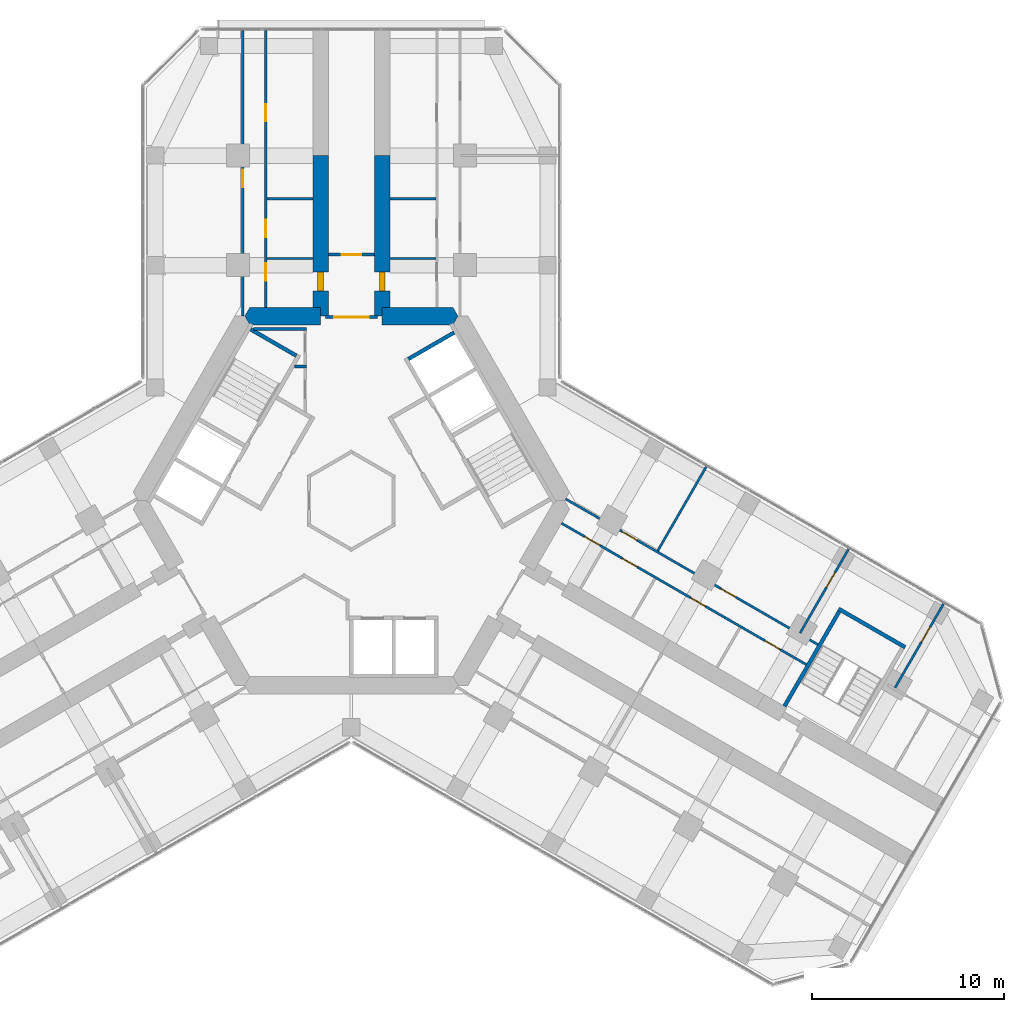
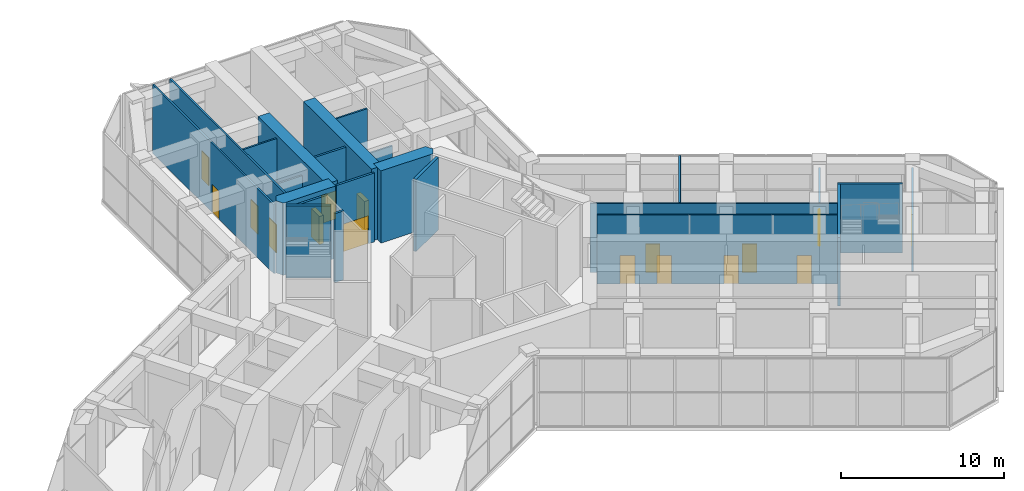
# One storey, part 17 of 20: 23 walls, 16 doors, 16 openings.
"""IFC4 building model written with IfcOpenShell, lengths in metres."""

from ifc_helpers import new_model, si_unit, direction, frame, frame_2d, origin, place, context, subcontext, project, spatial, polyline, rectangle, outline, extrude, material, layer, layer_set, type_object, element, fill, save


model = new_model("IFC4")

# Units and contexts
model_context = context("Model", 3, precision=1e-05, world=origin(), true_north=direction((0.0, 1.0)))
body_context = subcontext(model_context, "Body", "Model", "MODEL_VIEW")
ifc_project = project(units=[si_unit("LENGTHUNIT", "METRE"), si_unit("AREAUNIT", "SQUARE_METRE"), si_unit("VOLUMEUNIT", "CUBIC_METRE"), si_unit("PLANEANGLEUNIT", "RADIAN"), si_unit("MASSUNIT", "GRAM", prefix="KILO")], contexts=[model_context])

# Site, building, storey
site_placement = place(None, origin())
site = spatial("IfcSite", under=ifc_project, at=site_placement, CompositionType="ELEMENT")
building_placement = place(site_placement, origin())
building = spatial("IfcBuilding", under=site, at=building_placement, Name="Kosmar Iwan School Tower", CompositionType="ELEMENT")
storey_placement = place(building_placement, frame((0.0, 0.0, 152.60009765625)))
storey = spatial("IfcBuildingStorey", under=building, at=storey_placement, Name="L38", CompositionType="ELEMENT", Elevation=152.60009765625)

# Walls
ifc_material_1 = material(Name="Gypsum board on steel studs, fire-rated", Category="steel")
ifc_layer_1 = layer(ifc_material_1, 0.14990234375)
ifc_layer_set_1 = layer_set([ifc_layer_1], Name="Core room partition 150")
wall_type_1 = type_object("IfcWallType", Name="Core room partition 150", PredefinedType="PARTITIONING", material=ifc_layer_set_1)
wall_1_placement = place(storey_placement, frame((-2.324951171875, 6.985107421875, 0.0), z_axis=(0.0, 0.0, 1.0), x_axis=(-1.0, 0.0, 0.0)))
element("IfcWall", 1, at=wall_1_placement, inside=storey, type_object=wall_type_1, Name="Core room partition L38-CW2", PredefinedType="PARTITIONING", context=body_context, shape_type="SweptSolid", body=[
    extrude(rectangle(XDim=0.623779296875, YDim=0.14990234375, at=frame_2d((0.31201171875, 0.0))), origin(), (0.0, 0.0, 1.0), 5.14990234375),
])
wall_2_placement = place(storey_placement, frame((-5.089599609375, 8.93994140625, 0.0), z_axis=(0.0, 0.0, 1.0), x_axis=(1.0, 0.0, 0.0)))
element("IfcWall", 2, at=wall_2_placement, inside=storey, type_object=wall_type_1, Name="Core room partition L38-CW3", PredefinedType="PARTITIONING", context=body_context, shape_type="SweptSolid", body=[
    extrude(rectangle(XDim=2.7646484375, YDim=0.14990234375, at=frame_2d((1.38232421875, 0.0))), origin(), (0.0, 0.0, 1.0), 5.14990234375),
])
ifc_material_2 = material(Name="Concrete C50/60", Category="concrete")
ifc_layer_2 = layer(ifc_material_2, 0.89990234375)
ifc_layer_set_2 = layer_set([ifc_layer_2], Name="Core wall 900")
wall_type_2 = type_object("IfcWallType", Name="Core wall 900", PredefinedType="SHEAR", material=ifc_layer_set_2)
wall_3_placement = place(storey_placement, origin())
element("IfcWall", 3, at=wall_3_placement, inside=storey, type_object=wall_type_2, Name="Core wall F090a", PredefinedType="SHEAR", context=body_context, shape_type="SweptSolid", body=[
    extrude(outline(polyline([(1.60009765625, 9.14990234375), (5.28271484375, 9.14990234375), (5.54248046875, 9.60009765625), (5.28271484375, 10.050048828125), (1.60009765625, 10.050048828125), (1.60009765625, 9.14990234375)])), origin(), (0.0, 0.0, 1.0), 5.39990234375),
])
wall_4_placement = place(storey_placement, origin())
element("IfcWall", 4, at=wall_4_placement, inside=storey, type_object=wall_type_2, Name="Core wall F090b", PredefinedType="SHEAR", context=body_context, shape_type="SweptSolid", body=[
    extrude(outline(polyline([(-5.28271484375, 9.14990234375), (-1.60009765625, 9.14990234375), (-1.60009765625, 10.050048828125), (-5.28271484375, 10.050048828125), (-5.54248046875, 9.60009765625), (-5.28271484375, 9.14990234375)])), origin(), (0.0, 0.0, 1.0), 5.39990234375),
])

# Wall, opening, door
ifc_material_3 = material(Name="Concrete C50/60", Category="concrete")
ifc_layer_3 = layer(ifc_material_3, 0.800048828125)
ifc_layer_set_3 = layer_set([ifc_layer_3], Name="Corridor buttress wall 800")
wall_type_3 = type_object("IfcWallType", Name="Corridor buttress wall 800", PredefinedType="SHEAR", material=ifc_layer_set_3)
wall_5_placement = place(storey_placement, frame((-1.60009765625, 9.60009765625, 0.0), z_axis=(0.0, 0.0, 1.0), x_axis=(0.0, 1.0, 0.0)))
wall_5 = element("IfcWall", 5, at=wall_5_placement, inside=storey, type_object=wall_type_3, Name="Corridor wall AL", PredefinedType="SHEAR", context=body_context, shape_type="SweptSolid", body=[
    extrude(rectangle(XDim=8.349853515625, YDim=0.800048828125, at=frame_2d((4.1748046875, 0.0))), origin(), (0.0, 0.0, 1.0), 5.39990234375),
])
opening_1_placement = place(wall_5_placement, frame((1.300048828125, 0.0, 0.0)))
opening_1 = element("IfcOpeningElement", 6, at=opening_1_placement, cuts=wall_5, Name="Opening D1", PredefinedType="OPENING", context=body_context, shape_type="SweptSolid", body=[
    extrude(rectangle(XDim=1.0, YDim=2.10009765625, at=frame_2d((0.5, 1.050048828125))), frame((0.0, 0.412109375, 0.0), z_axis=(0.0, -1.0, 0.0), x_axis=(1.0, 0.0, 0.0)), (0.0, 0.0, 1.0), 0.823974609375),
])
ifc_material_4 = material(Name="Timber fire door in steel frame", Category="steel")
door_type_1 = type_object("IfcDoorType", Name="Flat entrance door 1000x2100", OperationType="SINGLE_SWING_LEFT", PredefinedType="DOOR", material=ifc_material_4)
door_1_placement = place(opening_1_placement, origin())
door_1 = element("IfcDoor", 7, at=door_1_placement, inside=storey, type_object=door_type_1, Name="Flat L38-AL1 entrance door", OperationType="SINGLE_SWING_RIGHT", OverallHeight=2.10009765625, OverallWidth=1.0, PredefinedType="DOOR", context=body_context, shape_type="SweptSolid", body=[
    extrude(rectangle(XDim=1.0, YDim=2.10009765625, at=frame_2d((0.5, 1.050048828125))), frame((0.0, 0.14990234375, 0.0), z_axis=(0.0, -1.0, 0.0), x_axis=(1.0, 0.0, 0.0)), (0.0, 0.0, 1.0), 0.300048828125),
])
fill(opening_1, door_1)

wall_6_placement = place(storey_placement, frame((1.60009765625, 9.60009765625, 0.0), z_axis=(0.0, 0.0, 1.0), x_axis=(0.0, 1.0, 0.0)))
wall_6 = element("IfcWall", 8, at=wall_6_placement, inside=storey, type_object=wall_type_3, Name="Corridor wall AR", PredefinedType="SHEAR", context=body_context, shape_type="SweptSolid", body=[
    extrude(rectangle(XDim=8.349853515625, YDim=0.800048828125, at=frame_2d((4.1748046875, 0.0))), origin(), (0.0, 0.0, 1.0), 5.39990234375),
])
opening_2_placement = place(wall_6_placement, frame((1.300048828125, 0.0, 0.0)))
opening_2 = element("IfcOpeningElement", 9, at=opening_2_placement, cuts=wall_6, Name="Opening D1", PredefinedType="OPENING", context=body_context, shape_type="SweptSolid", body=[
    extrude(rectangle(XDim=1.0, YDim=2.10009765625, at=frame_2d((0.5, 1.050048828125))), frame((0.0, 0.412109375, 0.0), z_axis=(0.0, -1.0, 0.0), x_axis=(1.0, 0.0, 0.0)), (0.0, 0.0, 1.0), 0.823974609375),
])
door_2_placement = place(opening_2_placement, origin())
door_2 = element("IfcDoor", 10, at=door_2_placement, inside=storey, type_object=door_type_1, Name="Flat L38-AR1 entrance door", OperationType="SINGLE_SWING_RIGHT", OverallHeight=2.10009765625, OverallWidth=1.0, PredefinedType="DOOR", context=body_context, shape_type="SweptSolid", body=[
    extrude(rectangle(XDim=1.0, YDim=2.10009765625, at=frame_2d((0.5, 1.050048828125))), frame((0.0, 0.14990234375, 0.0), z_axis=(0.0, -1.0, 0.0), x_axis=(1.0, 0.0, 0.0)), (0.0, 0.0, 1.0), 0.300048828125),
])
fill(opening_2, door_2)

ifc_material_5 = material(Name="Gypsum board on steel studs, fire-rated", Category="steel")
ifc_layer_4 = layer(ifc_material_5, 0.14990234375)
ifc_layer_set_4 = layer_set([ifc_layer_4], Name="Corridor end wall 150")
wall_type_4 = type_object("IfcWallType", Name="Corridor end wall 150", PredefinedType="PARTITIONING", material=ifc_layer_set_4)
wall_7_placement = place(storey_placement, frame((1.199951171875, 12.800048828125, 0.0), z_axis=(0.0, 0.0, 1.0), x_axis=(-1.0, 0.0, 0.0)))
wall_7 = element("IfcWall", 11, at=wall_7_placement, inside=storey, type_object=wall_type_4, Name="Partition L38-A-CE", PredefinedType="PARTITIONING", context=body_context, shape_type="SweptSolid", body=[
    extrude(rectangle(XDim=2.39990234375, YDim=0.14990234375, at=frame_2d((1.199951171875, 0.0))), origin(), (0.0, 0.0, 1.0), 5.14990234375),
])
opening_3_placement = place(wall_7_placement, frame((0.699951171875, 0.0, 0.0)))
opening_3 = element("IfcOpeningElement", 12, at=opening_3_placement, cuts=wall_7, Name="Opening D13", PredefinedType="OPENING", context=body_context, shape_type="SweptSolid", body=[
    extrude(rectangle(XDim=1.0, YDim=2.10009765625, at=frame_2d((0.5, 1.050048828125))), frame((0.0, 0.0869140625, 0.0), z_axis=(0.0, -1.0, 0.0), x_axis=(1.0, 0.0, 0.0)), (0.0, 0.0, 1.0), 0.173828125),
])
ifc_material_6 = material(Name="Timber fire door with vision panel", Category="wood")
door_type_2 = type_object("IfcDoorType", Name="Corridor end door 1000x2100", OperationType="SINGLE_SWING_LEFT", PredefinedType="DOOR", material=ifc_material_6)
door_3_placement = place(opening_3_placement, origin())
door_3 = element("IfcDoor", 13, at=door_3_placement, inside=storey, type_object=door_type_2, Name="Prayer room door L38-A", OperationType="SINGLE_SWING_RIGHT", OverallHeight=2.10009765625, OverallWidth=1.0, PredefinedType="DOOR", context=body_context, shape_type="SweptSolid", body=[
    extrude(rectangle(XDim=1.0, YDim=2.10009765625, at=frame_2d((0.5, 1.050048828125))), frame((0.0, 0.02490234375, 0.0), z_axis=(0.0, -1.0, 0.0), x_axis=(1.0, 0.0, 0.0)), (0.0, 0.0, 1.0), 0.050048828125),
])
fill(opening_3, door_3)

ifc_material_7 = material(Name="Steel framed glazed screen", Category="steel")
ifc_layer_5 = layer(ifc_material_7, 0.14990234375)
ifc_layer_set_5 = layer_set([ifc_layer_5], Name="Corridor screen wall 150")
wall_type_5 = type_object("IfcWallType", Name="Corridor screen wall 150", PredefinedType="PARTITIONING", material=ifc_layer_set_5)
wall_8_placement = place(storey_placement, frame((1.35009765625, 9.550048828125, 0.0), z_axis=(0.0, 0.0, 1.0), x_axis=(-1.0, 0.0, 0.0)))
wall_8 = element("IfcWall", 14, at=wall_8_placement, inside=storey, type_object=wall_type_5, Name="Corridor screen A L38", PredefinedType="PARTITIONING", context=body_context, shape_type="SweptSolid", body=[
    extrude(rectangle(XDim=2.7001953125, YDim=0.14990234375, at=frame_2d((1.35009765625, 0.0))), origin(), (0.0, 0.0, 1.0), 5.14990234375),
])
opening_4_placement = place(wall_8_placement, frame((0.449951171875, 0.0, 0.0)))
opening_4 = element("IfcOpeningElement", 15, at=opening_4_placement, cuts=wall_8, Name="Opening D9", PredefinedType="OPENING", context=body_context, shape_type="SweptSolid", body=[
    extrude(rectangle(XDim=1.800048828125, YDim=2.10009765625, at=frame_2d((0.89990234375, 1.050048828125))), frame((0.0, 0.0869140625, 0.0), z_axis=(0.0, -1.0, 0.0), x_axis=(1.0, 0.0, 0.0)), (0.0, 0.0, 1.0), 0.173828125),
])
ifc_material_8 = material(Name="Steel framed glazed smoke door", Category="steel")
door_type_3 = type_object("IfcDoorType", Name="Corridor smoke door pair 1800x2100", OperationType="DOUBLE_DOOR_DOUBLE_SWING", PredefinedType="DOOR", material=ifc_material_8)
door_4_placement = place(opening_4_placement, origin())
door_4 = element("IfcDoor", 16, at=door_4_placement, inside=storey, type_object=door_type_3, Name="Corridor doors A L38", OperationType="DOUBLE_DOOR_DOUBLE_SWING", OverallHeight=2.10009765625, OverallWidth=1.800048828125, PredefinedType="DOOR", context=body_context, shape_type="SweptSolid", body=[
    extrude(rectangle(XDim=1.800048828125, YDim=2.10009765625, at=frame_2d((0.89990234375, 1.050048828125))), frame((0.0, 0.02490234375, 0.0), z_axis=(0.0, -1.0, 0.0), x_axis=(1.0, 0.0, 0.0)), (0.0, 0.0, 1.0), 0.050048828125),
])
fill(opening_4, door_4)

# Wall, openings, doors
ifc_material_9 = material(Name="Gypsum board on steel studs", Category="steel")
ifc_layer_6 = layer(ifc_material_9, 0.1201171875)
ifc_layer_set_6 = layer_set([ifc_layer_6], Name="Dwelling partition 120")
wall_type_6 = type_object("IfcWallType", Name="Dwelling partition 120", PredefinedType="PARTITIONING", material=ifc_layer_set_6)
wall_9_placement = place(storey_placement, frame((-4.449951171875, 10.050048828125, 0.0), z_axis=(0.0, 0.0, 1.0), x_axis=(0.0, 1.0, 0.0)))
wall_9 = element("IfcWall", 17, at=wall_9_placement, inside=storey, type_object=wall_type_6, Name="Partition L38-AL1-W1", PredefinedType="PARTITIONING", context=body_context, shape_type="SweptSolid", body=[
    extrude(rectangle(XDim=14.39501953125, YDim=0.1201171875, at=frame_2d((7.197509765625, 0.0))), origin(), (0.0, 0.0, 1.0), 5.14990234375),
])
opening_5_placement = place(wall_9_placement, frame((1.39990234375, 0.0, 0.0)))
opening_5 = element("IfcOpeningElement", 18, at=opening_5_placement, cuts=wall_9, Name="Opening D2", PredefinedType="OPENING", context=body_context, shape_type="SweptSolid", body=[
    extrude(rectangle(XDim=0.89990234375, YDim=2.10009765625, at=frame_2d((0.449951171875, 1.050048828125))), frame((0.0, 0.072021484375, 0.0), z_axis=(0.0, -1.0, 0.0), x_axis=(1.0, 0.0, 0.0)), (0.0, 0.0, 1.0), 0.14404296875),
])
opening_6_placement = place(wall_9_placement, frame((3.64990234375, 0.0, 0.0)))
opening_6 = element("IfcOpeningElement", 19, at=opening_6_placement, cuts=wall_9, Name="Opening D2", PredefinedType="OPENING", context=body_context, shape_type="SweptSolid", body=[
    extrude(rectangle(XDim=0.89990234375, YDim=2.10009765625, at=frame_2d((0.449951171875, 1.050048828125))), frame((0.0, 0.072021484375, 0.0), z_axis=(0.0, -1.0, 0.0), x_axis=(1.0, 0.0, 0.0)), (0.0, 0.0, 1.0), 0.14404296875),
])
opening_7_placement = place(wall_9_placement, frame((9.675048828125, 0.0, 0.0)))
opening_7 = element("IfcOpeningElement", 20, at=opening_7_placement, cuts=wall_9, Name="Opening D2", PredefinedType="OPENING", context=body_context, shape_type="SweptSolid", body=[
    extrude(rectangle(XDim=0.89990234375, YDim=2.10009765625, at=frame_2d((0.449951171875, 1.050048828125))), frame((0.0, 0.072021484375, 0.0), z_axis=(0.0, -1.0, 0.0), x_axis=(1.0, 0.0, 0.0)), (0.0, 0.0, 1.0), 0.14404296875),
])
ifc_material_10 = material(Name="Timber door in timber frame", Category="wood")
door_type_4 = type_object("IfcDoorType", Name="Internal door 900x2100", OperationType="SINGLE_SWING_LEFT", PredefinedType="DOOR", material=ifc_material_10)
door_5_placement = place(opening_5_placement, frame((0.89990234375, 0.0, 0.0), z_axis=(0.0, 0.0, 1.0), x_axis=(-1.0, 0.0, 0.0)))
door_5 = element("IfcDoor", 21, at=door_5_placement, inside=storey, type_object=door_type_4, Name="Entrance hall door L38-AL1-S1", OperationType="SINGLE_SWING_RIGHT", OverallHeight=2.10009765625, OverallWidth=0.89990234375, PredefinedType="DOOR", context=body_context, shape_type="SweptSolid", body=[
    extrude(rectangle(XDim=0.89990234375, YDim=2.10009765625, at=frame_2d((0.449951171875, 1.050048828125))), frame((0.0, 0.02490234375, 0.0), z_axis=(0.0, -1.0, 0.0), x_axis=(1.0, 0.0, 0.0)), (0.0, 0.0, 1.0), 0.050048828125),
])
fill(opening_5, door_5)
door_6_placement = place(opening_6_placement, origin())
door_6 = element("IfcDoor", 22, at=door_6_placement, inside=storey, type_object=door_type_4, Name="Garden store door L38-AL1-S2", OperationType="SINGLE_SWING_LEFT", OverallHeight=2.10009765625, OverallWidth=0.89990234375, PredefinedType="DOOR", context=body_context, shape_type="SweptSolid", body=[
    extrude(rectangle(XDim=0.89990234375, YDim=2.10009765625, at=frame_2d((0.449951171875, 1.050048828125))), frame((0.0, 0.02490234375, 0.0), z_axis=(0.0, -1.0, 0.0), x_axis=(1.0, 0.0, 0.0)), (0.0, 0.0, 1.0), 0.050048828125),
])
fill(opening_6, door_6)
door_7_placement = place(opening_7_placement, origin())
door_7 = element("IfcDoor", 23, at=door_7_placement, inside=storey, type_object=door_type_4, Name="Accessible toilet door L38-AL1-S3", OperationType="SINGLE_SWING_RIGHT", OverallHeight=2.10009765625, OverallWidth=0.89990234375, PredefinedType="DOOR", context=body_context, shape_type="SweptSolid", body=[
    extrude(rectangle(XDim=0.89990234375, YDim=2.10009765625, at=frame_2d((0.449951171875, 1.050048828125))), frame((0.0, 0.02490234375, 0.0), z_axis=(0.0, -1.0, 0.0), x_axis=(1.0, 0.0, 0.0)), (0.0, 0.0, 1.0), 0.050048828125),
])
fill(opening_7, door_7)

# Wall, opening, door
wall_10_placement = place(storey_placement, frame((-5.64990234375, 9.60009765625, 0.0), z_axis=(0.0, 0.0, 1.0), x_axis=(0.0, 1.0, 0.0)))
wall_10 = element("IfcWall", 24, at=wall_10_placement, inside=storey, type_object=wall_type_6, Name="Partition L38-AL1-W2", PredefinedType="PARTITIONING", context=body_context, shape_type="SweptSolid", body=[
    extrude(rectangle(XDim=14.844970703125, YDim=0.1201171875, at=frame_2d((7.42236328125, 0.0))), origin(), (0.0, 0.0, 1.0), 5.14990234375),
])
opening_8_placement = place(wall_10_placement, frame((6.699951171875, 0.0, 0.0)))
opening_8 = element("IfcOpeningElement", 25, at=opening_8_placement, cuts=wall_10, Name="Opening D2", PredefinedType="OPENING", context=body_context, shape_type="SweptSolid", body=[
    extrude(rectangle(XDim=0.89990234375, YDim=2.10009765625, at=frame_2d((0.449951171875, 1.050048828125))), frame((0.0, 0.072021484375, 0.0), z_axis=(0.0, -1.0, 0.0), x_axis=(1.0, 0.0, 0.0)), (0.0, 0.0, 1.0), 0.14404296875),
])
door_8_placement = place(opening_8_placement, origin())
door_8 = element("IfcDoor", 26, at=door_8_placement, inside=storey, type_object=door_type_4, Name="Winter garden door L38-AL1-F1", OperationType="SINGLE_SWING_LEFT", OverallHeight=2.10009765625, OverallWidth=0.89990234375, PredefinedType="DOOR", context=body_context, shape_type="SweptSolid", body=[
    extrude(rectangle(XDim=0.89990234375, YDim=2.10009765625, at=frame_2d((0.449951171875, 1.050048828125))), frame((0.0, 0.02490234375, 0.0), z_axis=(0.0, -1.0, 0.0), x_axis=(1.0, 0.0, 0.0)), (0.0, 0.0, 1.0), 0.050048828125),
])
fill(opening_8, door_8)

# Walls
wall_11_placement = place(storey_placement, frame((-2.0, 12.60009765625, 0.0), z_axis=(0.0, 0.0, 1.0), x_axis=(-1.0, 0.0, 0.0)))
element("IfcWall", 27, at=wall_11_placement, inside=storey, type_object=wall_type_6, Name="Partition L38-AL1-Y1", PredefinedType="PARTITIONING", context=body_context, shape_type="SweptSolid", body=[
    extrude(rectangle(XDim=2.389892578125, YDim=0.1201171875, at=frame_2d((1.19482421875, 0.0))), origin(), (0.0, 0.0, 1.0), 4.25),
])
wall_12_placement = place(storey_placement, frame((-2.0, 15.699951171875, 0.0), z_axis=(0.0, 0.0, 1.0), x_axis=(-1.0, 0.0, 0.0)))
element("IfcWall", 28, at=wall_12_placement, inside=storey, type_object=wall_type_6, Name="Partition L38-AL1-Y2", PredefinedType="PARTITIONING", context=body_context, shape_type="SweptSolid", body=[
    extrude(rectangle(XDim=2.389892578125, YDim=0.1201171875, at=frame_2d((1.19482421875, 0.0))), origin(), (0.0, 0.0, 1.0), 5.14990234375),
])
wall_13_placement = place(storey_placement, frame((2.0, 12.60009765625, 0.0), z_axis=(0.0, 0.0, 1.0), x_axis=(1.0, 0.0, 0.0)))
element("IfcWall", 29, at=wall_13_placement, inside=storey, type_object=wall_type_6, Name="Partition L38-AR1-Y1", PredefinedType="PARTITIONING", context=body_context, shape_type="SweptSolid", body=[
    extrude(rectangle(XDim=2.389892578125, YDim=0.1201171875, at=frame_2d((1.19482421875, 0.0))), origin(), (0.0, 0.0, 1.0), 4.25),
])
wall_14_placement = place(storey_placement, frame((2.0, 15.699951171875, 0.0), z_axis=(0.0, 0.0, 1.0), x_axis=(1.0, 0.0, 0.0)))
element("IfcWall", 30, at=wall_14_placement, inside=storey, type_object=wall_type_6, Name="Partition L38-AR1-Y2", PredefinedType="PARTITIONING", context=body_context, shape_type="SweptSolid", body=[
    extrude(rectangle(XDim=2.389892578125, YDim=0.1201171875, at=frame_2d((1.19482421875, 0.0))), origin(), (0.0, 0.0, 1.0), 5.14990234375),
])

# Wall, openings, doors
wall_15_placement = place(storey_placement, frame((10.928466796875, -1.171142578125, 0.0), z_axis=(0.0, 0.0, 1.0), x_axis=(0.866024898848, -0.500000874575, 0.0)))
wall_15 = element("IfcWall", 31, at=wall_15_placement, inside=storey, type_object=wall_type_6, Name="Partition L38-CL1-W1", PredefinedType="PARTITIONING", context=body_context, shape_type="SweptSolid", body=[
    extrude(rectangle(XDim=14.7001953125, YDim=0.1201171875, at=frame_2d((7.35009765625, 0.0))), origin(), (0.0, 0.0, 1.0), 5.14990234375),
])
opening_9_placement = place(wall_15_placement, frame((1.39990234375, 0.0, 0.0)))
opening_9 = element("IfcOpeningElement", 32, at=opening_9_placement, cuts=wall_15, Name="Opening D2", PredefinedType="OPENING", context=body_context, shape_type="SweptSolid", body=[
    extrude(rectangle(XDim=0.89990234375, YDim=2.10009765625, at=frame_2d((0.449951171875, 1.050048828125))), frame((0.0, 0.072021484375, 0.0), z_axis=(0.0, -1.0, 0.0), x_axis=(1.0, 0.0, 0.0)), (0.0, 0.0, 1.0), 0.14404296875),
])
opening_10_placement = place(wall_15_placement, frame((3.64990234375, 0.0, 0.0)))
opening_10 = element("IfcOpeningElement", 33, at=opening_10_placement, cuts=wall_15, Name="Opening D2", PredefinedType="OPENING", context=body_context, shape_type="SweptSolid", body=[
    extrude(rectangle(XDim=0.89990234375, YDim=2.10009765625, at=frame_2d((0.449951171875, 1.050048828125))), frame((0.0, 0.072021484375, 0.0), z_axis=(0.0, -1.0, 0.0), x_axis=(1.0, 0.0, 0.0)), (0.0, 0.0, 1.0), 0.14404296875),
])
opening_11_placement = place(wall_15_placement, frame((7.75, 0.0, 0.0)))
opening_11 = element("IfcOpeningElement", 34, at=opening_11_placement, cuts=wall_15, Name="Opening D2", PredefinedType="OPENING", context=body_context, shape_type="SweptSolid", body=[
    extrude(rectangle(XDim=0.89990234375, YDim=2.10009765625, at=frame_2d((0.449951171875, 1.050048828125))), frame((0.0, 0.072021484375, 0.0), z_axis=(0.0, -1.0, 0.0), x_axis=(1.0, 0.0, 0.0)), (0.0, 0.0, 1.0), 0.14404296875),
])
opening_12_placement = place(wall_15_placement, frame((12.22509765625, 0.0, 0.0)))
opening_12 = element("IfcOpeningElement", 35, at=opening_12_placement, cuts=wall_15, Name="Opening D2", PredefinedType="OPENING", context=body_context, shape_type="SweptSolid", body=[
    extrude(rectangle(XDim=0.89990234375, YDim=2.10009765625, at=frame_2d((0.449951171875, 1.050048828125))), frame((0.0, 0.072021484375, 0.0), z_axis=(0.0, -1.0, 0.0), x_axis=(1.0, 0.0, 0.0)), (0.0, 0.0, 1.0), 0.14404296875),
])
door_9_placement = place(opening_9_placement, frame((0.89990234375, 0.0, 0.0), z_axis=(0.0, 0.0, 1.0), x_axis=(-1.0, 0.0, 0.0)))
door_9 = element("IfcDoor", 36, at=door_9_placement, inside=storey, type_object=door_type_4, Name="Entrance hall door L38-CL1-S1", OperationType="SINGLE_SWING_RIGHT", OverallHeight=2.10009765625, OverallWidth=0.89990234375, PredefinedType="DOOR", context=body_context, shape_type="SweptSolid", body=[
    extrude(rectangle(XDim=0.89990234375, YDim=2.10009765625, at=frame_2d((0.449951171875, 1.050048828125))), frame((0.0, 0.02490234375, 0.0), z_axis=(0.0, -1.0, 0.0), x_axis=(1.0, 0.0, 0.0)), (0.0, 0.0, 1.0), 0.050048828125),
])
fill(opening_9, door_9)
door_10_placement = place(opening_10_placement, origin())
door_10 = element("IfcDoor", 37, at=door_10_placement, inside=storey, type_object=door_type_4, Name="Servery kitchen door L38-CL1-S2", OperationType="SINGLE_SWING_LEFT", OverallHeight=2.10009765625, OverallWidth=0.89990234375, PredefinedType="DOOR", context=body_context, shape_type="SweptSolid", body=[
    extrude(rectangle(XDim=0.89990234375, YDim=2.10009765625, at=frame_2d((0.449951171875, 1.050048828125))), frame((0.0, 0.02490234375, 0.0), z_axis=(0.0, -1.0, 0.0), x_axis=(1.0, 0.0, 0.0)), (0.0, 0.0, 1.0), 0.050048828125),
])
fill(opening_10, door_10)
door_11_placement = place(opening_11_placement, frame((0.89990234375, 0.0, 0.0), z_axis=(0.0, 0.0, 1.0), x_axis=(-1.0, 0.0, 0.0)))
door_11 = element("IfcDoor", 38, at=door_11_placement, inside=storey, type_object=door_type_4, Name="Accessible toilet door L38-CL1-S3", OperationType="SINGLE_SWING_LEFT", OverallHeight=2.10009765625, OverallWidth=0.89990234375, PredefinedType="DOOR", context=body_context, shape_type="SweptSolid", body=[
    extrude(rectangle(XDim=0.89990234375, YDim=2.10009765625, at=frame_2d((0.449951171875, 1.050048828125))), frame((0.0, 0.02490234375, 0.0), z_axis=(0.0, -1.0, 0.0), x_axis=(1.0, 0.0, 0.0)), (0.0, 0.0, 1.0), 0.050048828125),
])
fill(opening_11, door_11)
door_12_placement = place(opening_12_placement, origin())
door_12 = element("IfcDoor", 39, at=door_12_placement, inside=storey, type_object=door_type_4, Name="Garden store door L38-CL1-S4", OperationType="SINGLE_SWING_LEFT", OverallHeight=2.10009765625, OverallWidth=0.89990234375, PredefinedType="DOOR", context=body_context, shape_type="SweptSolid", body=[
    extrude(rectangle(XDim=0.89990234375, YDim=2.10009765625, at=frame_2d((0.449951171875, 1.050048828125))), frame((0.0, 0.02490234375, 0.0), z_axis=(0.0, -1.0, 0.0), x_axis=(1.0, 0.0, 0.0)), (0.0, 0.0, 1.0), 0.050048828125),
])
fill(opening_12, door_12)

wall_16_placement = place(storey_placement, frame((11.138916015625, 0.093017578125, 0.0), z_axis=(0.0, 0.0, 1.0), x_axis=(0.866024032363, -0.500002375365, 0.0)))
wall_16 = element("IfcWall", 40, at=wall_16_placement, inside=storey, type_object=wall_type_6, Name="Partition L38-CL1-W2", PredefinedType="PARTITIONING", context=body_context, shape_type="SweptSolid", body=[
    extrude(rectangle(XDim=15.14990234375, YDim=0.1201171875, at=frame_2d((7.574951171875, 0.0))), origin(), (0.0, 0.0, 1.0), 5.14990234375),
])
opening_13_placement = place(wall_16_placement, frame((3.39990234375, 0.0, 0.0)))
opening_13 = element("IfcOpeningElement", 41, at=opening_13_placement, cuts=wall_16, Name="Opening D2", PredefinedType="OPENING", context=body_context, shape_type="SweptSolid", body=[
    extrude(rectangle(XDim=0.89990234375, YDim=2.10009765625, at=frame_2d((0.449951171875, 1.050048828125))), frame((0.0, 0.072021484375, 0.0), z_axis=(0.0, -1.0, 0.0), x_axis=(1.0, 0.0, 0.0)), (0.0, 0.0, 1.0), 0.14404296875),
])
opening_14_placement = place(wall_16_placement, frame((9.324951171875, 0.0, 0.0)))
opening_14 = element("IfcOpeningElement", 42, at=opening_14_placement, cuts=wall_16, Name="Opening D2", PredefinedType="OPENING", context=body_context, shape_type="SweptSolid", body=[
    extrude(rectangle(XDim=0.89990234375, YDim=2.10009765625, at=frame_2d((0.449951171875, 1.050048828125))), frame((0.0, 0.072021484375, 0.0), z_axis=(0.0, -1.0, 0.0), x_axis=(1.0, 0.0, 0.0)), (0.0, 0.0, 1.0), 0.14404296875),
])
door_13_placement = place(opening_13_placement, origin())
door_13 = element("IfcDoor", 43, at=door_13_placement, inside=storey, type_object=door_type_4, Name="Winter garden door L38-CL1-F1", OperationType="SINGLE_SWING_RIGHT", OverallHeight=2.10009765625, OverallWidth=0.89990234375, PredefinedType="DOOR", context=body_context, shape_type="SweptSolid", body=[
    extrude(rectangle(XDim=0.89990234375, YDim=2.10009765625, at=frame_2d((0.449951171875, 1.050048828125))), frame((0.0, 0.02490234375, 0.0), z_axis=(0.0, -1.0, 0.0), x_axis=(1.0, 0.0, 0.0)), (0.0, 0.0, 1.0), 0.050048828125),
])
fill(opening_13, door_13)
door_14_placement = place(opening_14_placement, origin())
door_14 = element("IfcDoor", 44, at=door_14_placement, inside=storey, type_object=door_type_4, Name="Residents' dining room door L38-CL1-F2", OperationType="SINGLE_SWING_RIGHT", OverallHeight=2.10009765625, OverallWidth=0.89990234375, PredefinedType="DOOR", context=body_context, shape_type="SweptSolid", body=[
    extrude(rectangle(XDim=0.89990234375, YDim=2.10009765625, at=frame_2d((0.449951171875, 1.050048828125))), frame((0.0, 0.02490234375, 0.0), z_axis=(0.0, -1.0, 0.0), x_axis=(1.0, 0.0, 0.0)), (0.0, 0.0, 1.0), 0.050048828125),
])
fill(opening_14, door_14)

# Wall
wall_17_placement = place(storey_placement, frame((15.931884765625, -2.60498046875, 0.0), z_axis=(0.0, 0.0, 1.0), x_axis=(0.500019063067, 0.866014397438, 0.0)))
element("IfcWall", 45, at=wall_17_placement, inside=storey, type_object=wall_type_6, Name="Partition L38-CL1-X1", PredefinedType="PARTITIONING", context=body_context, shape_type="SweptSolid", body=[
    extrude(rectangle(XDim=5.034912109375, YDim=0.1201171875, at=frame_2d((2.517578125, 0.0))), origin(), (0.0, 0.0, 1.0), 5.14990234375),
])

# Wall, opening, door
wall_18_placement = place(storey_placement, frame((23.33642578125, -6.8798828125, 0.0), z_axis=(0.0, 0.0, 1.0), x_axis=(0.500019063067, 0.866014397438, 0.0)))
wall_18 = element("IfcWall", 46, at=wall_18_placement, inside=storey, type_object=wall_type_6, Name="Partition L38-CL1-TB", PredefinedType="PARTITIONING", context=body_context, shape_type="SweptSolid", body=[
    extrude(rectangle(XDim=5.034912109375, YDim=0.1201171875, at=frame_2d((2.517578125, 0.0))), origin(), (0.0, 0.0, 1.0), 4.25),
])
opening_15_placement = place(wall_18_placement, frame((2.739990234375, 0.0, 0.0)))
opening_15 = element("IfcOpeningElement", 47, at=opening_15_placement, cuts=wall_18, Name="Opening D2", PredefinedType="OPENING", context=body_context, shape_type="SweptSolid", body=[
    extrude(rectangle(XDim=0.89990234375, YDim=2.10009765625, at=frame_2d((0.449951171875, 1.050048828125))), frame((0.0, 0.072021484375, 0.0), z_axis=(0.0, -1.0, 0.0), x_axis=(1.0, 0.0, 0.0)), (0.0, 0.0, 1.0), 0.14404296875),
])
door_15_placement = place(opening_15_placement, origin())
door_15 = element("IfcDoor", 48, at=door_15_placement, inside=storey, type_object=door_type_4, Name="Residents' dining room door L38-CL1-F2", OperationType="SINGLE_SWING_RIGHT", OverallHeight=2.10009765625, OverallWidth=0.89990234375, PredefinedType="DOOR", context=body_context, shape_type="SweptSolid", body=[
    extrude(rectangle(XDim=0.89990234375, YDim=2.10009765625, at=frame_2d((0.449951171875, 1.050048828125))), frame((0.0, 0.02490234375, 0.0), z_axis=(0.0, -1.0, 0.0), x_axis=(1.0, 0.0, 0.0)), (0.0, 0.0, 1.0), 0.050048828125),
])
fill(opening_15, door_15)

wall_19_placement = place(storey_placement, frame((28.27294921875, -9.72998046875, 0.0), z_axis=(0.0, 0.0, 1.0), x_axis=(0.499982695883, 0.866035394091, 0.0)))
wall_19 = element("IfcWall", 49, at=wall_19_placement, inside=storey, type_object=wall_type_6, Name="Partition L38-CL1-TX", PredefinedType="PARTITIONING", context=body_context, shape_type="SweptSolid", body=[
    extrude(rectangle(XDim=5.034912109375, YDim=0.1201171875, at=frame_2d((2.517578125, 0.0))), origin(), (0.0, 0.0, 1.0), 4.25),
])
opening_16_placement = place(wall_19_placement, frame((2.739990234375, 0.0, 0.0)))
opening_16 = element("IfcOpeningElement", 50, at=opening_16_placement, cuts=wall_19, Name="Opening D2", PredefinedType="OPENING", context=body_context, shape_type="SweptSolid", body=[
    extrude(rectangle(XDim=0.89990234375, YDim=2.10009765625, at=frame_2d((0.449951171875, 1.050048828125))), frame((0.0, 0.072021484375, 0.0), z_axis=(0.0, -1.0, 0.0), x_axis=(1.0, 0.0, 0.0)), (0.0, 0.0, 1.0), 0.14404296875),
])
door_16_placement = place(opening_16_placement, origin())
door_16 = element("IfcDoor", 51, at=door_16_placement, inside=storey, type_object=door_type_4, Name="Residents' dining room door L38-CL1-T1", OperationType="SINGLE_SWING_RIGHT", OverallHeight=2.10009765625, OverallWidth=0.89990234375, PredefinedType="DOOR", context=body_context, shape_type="SweptSolid", body=[
    extrude(rectangle(XDim=0.89990234375, YDim=2.10009765625, at=frame_2d((0.449951171875, 1.050048828125))), frame((0.0, 0.02490234375, 0.0), z_axis=(0.0, -1.0, 0.0), x_axis=(1.0, 0.0, 0.0)), (0.0, 0.0, 1.0), 0.050048828125),
])
fill(opening_16, door_16)

# Walls
ifc_material_11 = material(Name="Concrete C35/45", Category="concrete")
ifc_layer_7 = layer(ifc_material_11, 0.199951171875)
ifc_layer_set_7 = layer_set([ifc_layer_7], Name="Escape stair wall 200")
wall_type_7 = type_object("IfcWallType", Name="Escape stair wall 200", PredefinedType="SHEAR", material=ifc_layer_set_7)
wall_20_placement = place(storey_placement, frame((22.520751953125, -10.69287109375, 0.0), z_axis=(0.0, 0.0, 1.0), x_axis=(0.500006628179, 0.86602157697, 0.0)))
element("IfcWall", 52, at=wall_20_placement, inside=storey, type_object=wall_type_7, Name="Stair WS3 wall", PredefinedType="SHEAR", context=body_context, shape_type="SweptSolid", body=[
    extrude(rectangle(XDim=5.89990234375, YDim=0.199951171875, at=frame_2d((2.949951171875, 0.0))), origin(), (0.0, 0.0, 1.0), 5.1298828125),
])
wall_21_placement = place(storey_placement, frame((25.334228515625, -5.6201171875, 0.0), z_axis=(0.0, 0.0, 1.0), x_axis=(0.866026010844, -0.49999894854, 0.0)))
element("IfcWall", 53, at=wall_21_placement, inside=storey, type_object=wall_type_7, Name="Stair WS3 wall", PredefinedType="SHEAR", context=body_context, shape_type="SweptSolid", body=[
    extrude(rectangle(XDim=4.0, YDim=0.199951171875, at=frame_2d((2.0, 0.0))), origin(), (0.0, 0.0, 1.0), 5.1298828125),
])
ifc_material_12 = material(Name="Concrete C50/60", Category="concrete")
ifc_layer_8 = layer(ifc_material_12, 0.199951171875)
ifc_layer_set_8 = layer_set([ifc_layer_8], Name="Lift shaft wall 200")
wall_type_8 = type_object("IfcWallType", Name="Lift shaft wall 200", PredefinedType="SHEAR", material=ifc_layer_set_8)
wall_22_placement = place(storey_placement, frame((2.962646484375, 7.368408203125, 0.0), z_axis=(0.0, 0.0, 1.0), x_axis=(0.866027397988, 0.499996545922, 0.0)))
element("IfcWall", 54, at=wall_22_placement, inside=storey, type_object=wall_type_8, Name="Lift shaft wall AC 2", PredefinedType="SHEAR", context=body_context, shape_type="SweptSolid", body=[
    extrude(rectangle(XDim=2.75, YDim=0.199951171875, at=frame_2d((1.375, 0.0))), origin(), (0.0, 0.0, 1.0), 5.39990234375),
])
ifc_material_13 = material(Name="Concrete C50/60", Category="concrete")
ifc_layer_9 = layer(ifc_material_13, 0.199951171875)
ifc_layer_set_9 = layer_set([ifc_layer_9], Name="Stair enclosure wall 200")
wall_type_9 = type_object("IfcWallType", Name="Stair enclosure wall 200", PredefinedType="SHEAR", material=ifc_layer_set_9)
wall_23_placement = place(storey_placement, frame((-2.862548828125, 7.541748046875, 0.0), z_axis=(0.0, 0.0, 1.0), x_axis=(-0.866027397988, 0.499996545922, 0.0)))
element("IfcWall", 55, at=wall_23_placement, inside=storey, type_object=wall_type_9, Name="Stair ST2 wall", PredefinedType="SHEAR", context=body_context, shape_type="SweptSolid", body=[
    extrude(rectangle(XDim=2.75, YDim=0.199951171875, at=frame_2d((1.375, 0.0))), origin(), (0.0, 0.0, 1.0), 5.39990234375),
])

save(model, "model.ifc")
